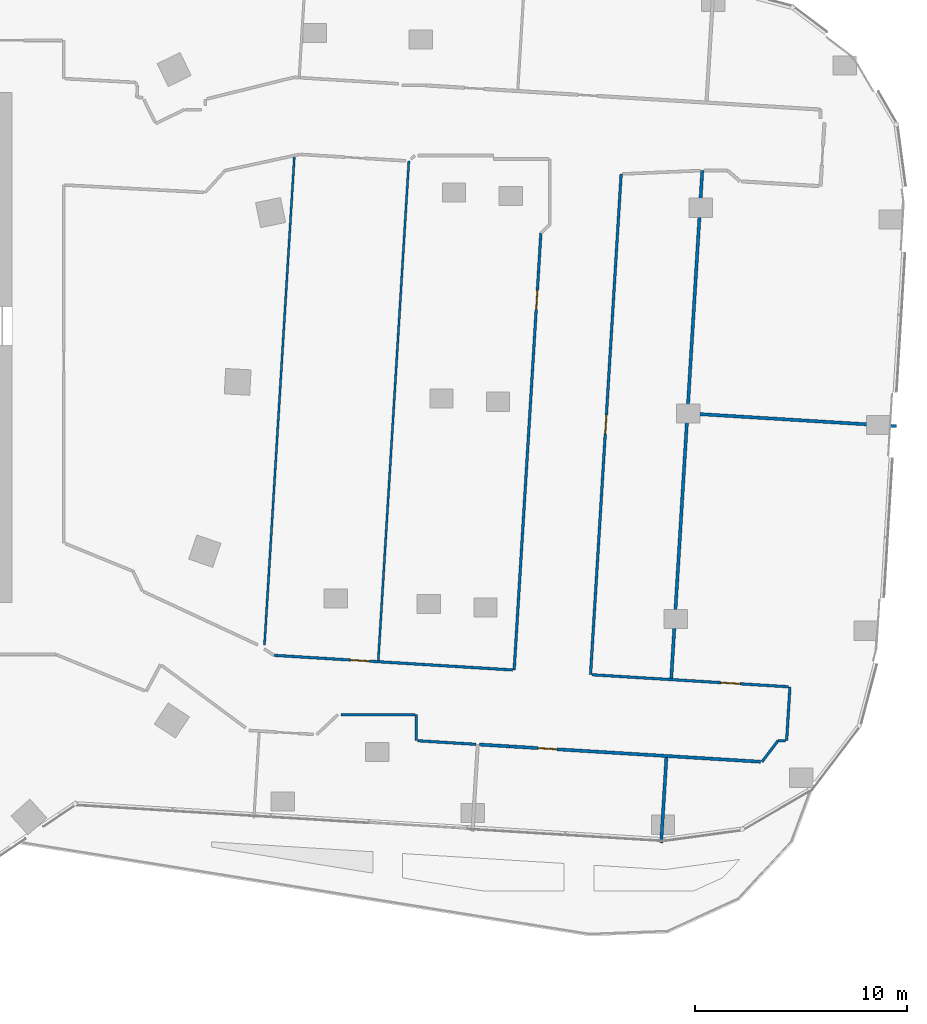
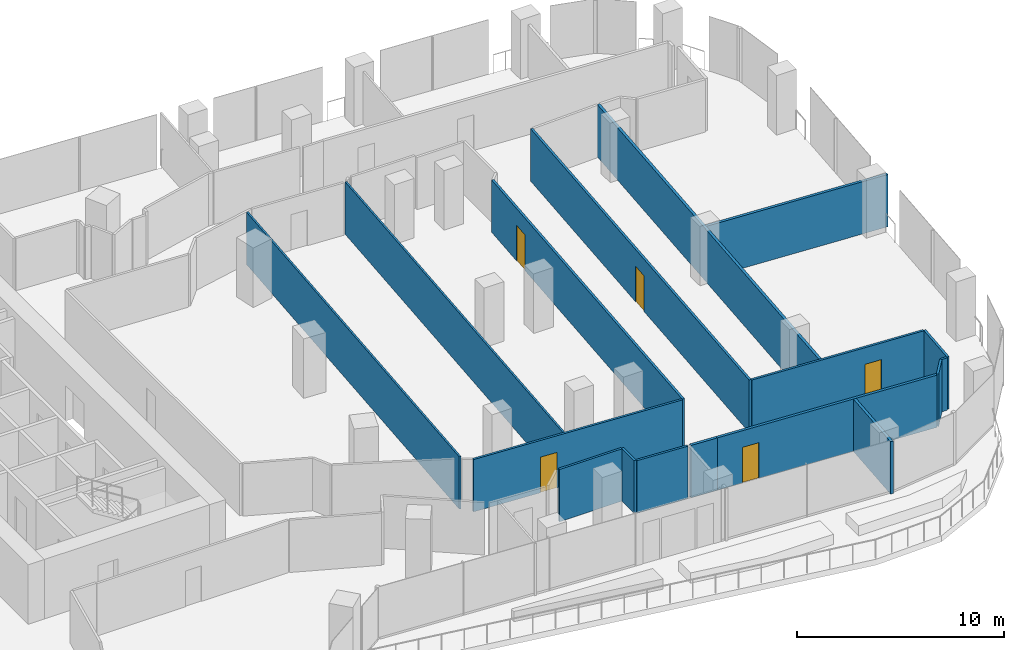
# One storey, part 25 of 34: 17 walls, 5 doors, 5 openings.
"""IFC4 building model written with IfcOpenShell, lengths in metres."""

from ifc_helpers import new_model, si_unit, direction, frame, frame_2d, origin, place, context, subcontext, project, spatial, rectangle, extrude, material, layer, layer_set, type_object, element, fill, save


model = new_model("IFC4")

# Units and contexts
model_context = context("Model", 3, precision=1e-05, world=origin(), true_north=direction((0.0, 1.0)))
body_context = subcontext(model_context, "Body", "Model", "MODEL_VIEW")
ifc_project = project(units=[si_unit("LENGTHUNIT", "METRE"), si_unit("AREAUNIT", "SQUARE_METRE"), si_unit("VOLUMEUNIT", "CUBIC_METRE"), si_unit("PLANEANGLEUNIT", "RADIAN"), si_unit("MASSUNIT", "GRAM", prefix="KILO")], contexts=[model_context])

# Site, building, storey
site_placement = place(None, origin())
site = spatial("IfcSite", under=ifc_project, at=site_placement, CompositionType="ELEMENT")
building_placement = place(site_placement, origin())
building = spatial("IfcBuilding", under=site, at=building_placement, Name="Orlundy Tower", CompositionType="ELEMENT")
storey_placement = place(building_placement, frame((0.0, 0.0, 145.60009765625)))
storey = spatial("IfcBuildingStorey", under=building, at=storey_placement, Name="L37", CompositionType="ELEMENT", Elevation=145.60009765625)

# Walls
ifc_material_1 = material(Name="Gypsum board partition")
ifc_layer_1 = layer(ifc_material_1, 0.10009765625)
ifc_layer_set_1 = layer_set([ifc_layer_1], Name="Floor partition 100")
wall_type_1 = type_object("IfcWallType", Name="Floor partition 100", PredefinedType="PARTITIONING", material=ifc_layer_set_1)
wall_1_placement = place(storey_placement, frame((36.251953125, -14.735107421875, 0.0), z_axis=(0.0, 0.0, 1.0), x_axis=(0.061102264475, 0.998131511012, 0.0)))
element("IfcWall", 1, at=wall_1_placement, inside=storey, type_object=wall_type_1, Name="wall-int-L37-122", PredefinedType="PARTITIONING", context=body_context, shape_type="SweptSolid", body=[
    extrude(rectangle(XDim=23.550048828125, YDim=0.10009765625, at=frame_2d((11.77490234375, 0.0))), origin(), (0.0, 0.0, 1.0), 3.079833984375),
])
wall_2_placement = place(storey_placement, frame((30.89501953125, -14.014892578125, 0.0), z_axis=(0.0, 0.0, 1.0), x_axis=(0.061064974054, 0.998133793108, 0.0)))
element("IfcWall", 2, at=wall_2_placement, inside=storey, type_object=wall_type_1, Name="wall-int-L37-124", PredefinedType="PARTITIONING", context=body_context, shape_type="SweptSolid", body=[
    extrude(rectangle(XDim=23.0087890625, YDim=0.10009765625, at=frame_2d((11.50439453125, 0.0))), origin(), (0.0, 0.0, 1.0), 3.079833984375),
])
ifc_material_2 = material(Name="Gypsum board partition, double layer")
ifc_layer_2 = layer(ifc_material_2, 0.125)
ifc_layer_set_2 = layer_set([ifc_layer_2], Name="Floor partition 125")
wall_type_2 = type_object("IfcWallType", Name="Floor partition 125", PredefinedType="PARTITIONING", material=ifc_layer_set_2)
wall_3_placement = place(storey_placement, frame((38.110107421875, -18.51806640625, 0.0), z_axis=(0.0, 0.0, 1.0), x_axis=(0.998139847716, -0.060965928199, 0.0)))
element("IfcWall", 3, at=wall_3_placement, inside=storey, type_object=wall_type_2, Name="wall-int-L37-035", PredefinedType="PARTITIONING", context=body_context, shape_type="SweptSolid", body=[
    extrude(rectangle(XDim=2.755126953125, YDim=0.125, at=frame_2d((1.37744140625, 0.0))), origin(), (0.0, 0.0, 1.0), 3.079833984375),
])

# Wall, opening, door
wall_4_placement = place(storey_placement, frame((31.341064453125, -14.49609375, 0.0), z_axis=(0.0, 0.0, 1.0), x_axis=(0.998121712121, -0.061262123633, 0.0)))
wall_4 = element("IfcWall", 4, at=wall_4_placement, inside=storey, type_object=wall_type_2, Name="wall-int-L37-037", PredefinedType="PARTITIONING", context=body_context, shape_type="SweptSolid", body=[
    extrude(rectangle(XDim=11.26220703125, YDim=0.125, at=frame_2d((5.631103515625, 0.0))), origin(), (0.0, 0.0, 1.0), 3.079833984375),
])
opening_1_placement = place(wall_4_placement, frame((3.60009765625, 0.0, 0.0)))
opening_1 = element("IfcOpeningElement", 5, at=opening_1_placement, cuts=wall_4, Name="Opening 28104", PredefinedType="OPENING", context=body_context, shape_type="SweptSolid", body=[
    extrude(rectangle(XDim=0.89990234375, YDim=2.10009765625, at=frame_2d((0.449951171875, 1.050048828125))), frame((0.0, 0.072509765625, 0.0), z_axis=(0.0, -1.0, 0.0), x_axis=(1.0, 0.0, 0.0)), (0.0, 0.0, 1.0), 0.14501953125),
])
ifc_material_3 = material(Name="Timber door leaf", Category="wood")
door_type_1 = type_object("IfcDoorType", Name="Floor door single 900 FD30S", OperationType="NOTDEFINED", PredefinedType="DOOR", material=ifc_material_3)
door_1_placement = place(opening_1_placement, origin())
door_1 = element("IfcDoor", 6, at=door_1_placement, inside=storey, type_object=door_type_1, Name="Door 28104", OperationType="SINGLE_SWING_LEFT", OverallHeight=2.10009765625, OverallWidth=0.89990234375, PredefinedType="DOOR", context=body_context, shape_type="SweptSolid", body=[
    extrude(rectangle(XDim=0.89990234375, YDim=2.10009765625, at=frame_2d((0.449951171875, 1.050048828125))), frame((0.0, 0.02490234375, 0.0), z_axis=(0.0, -1.0, 0.0), x_axis=(1.0, 0.0, 0.0)), (0.0, 0.0, 1.0), 0.050048828125),
])
fill(opening_1, door_1)

wall_5_placement = place(storey_placement, frame((46.304931640625, -15.410888671875, 0.0), z_axis=(0.0, 0.0, 1.0), x_axis=(0.998136924193, -0.061013773551, 0.0)))
wall_5 = element("IfcWall", 7, at=wall_5_placement, inside=storey, type_object=wall_type_2, Name="wall-int-L37-038", PredefinedType="PARTITIONING", context=body_context, shape_type="SweptSolid", body=[
    extrude(rectangle(XDim=9.279296875, YDim=0.125, at=frame_2d((4.6396484375, 0.0))), origin(), (0.0, 0.0, 1.0), 3.079833984375),
])
opening_2_placement = place(wall_5_placement, frame((6.090576171875, 0.0, 0.0)))
opening_2 = element("IfcOpeningElement", 8, at=opening_2_placement, cuts=wall_5, Name="Opening 28108", PredefinedType="OPENING", context=body_context, shape_type="SweptSolid", body=[
    extrude(rectangle(XDim=0.89990234375, YDim=2.10009765625, at=frame_2d((0.449951171875, 1.050048828125))), frame((0.0, 0.072509765625, 0.0), z_axis=(0.0, -1.0, 0.0), x_axis=(1.0, 0.0, 0.0)), (0.0, 0.0, 1.0), 0.14501953125),
])
door_2_placement = place(opening_2_placement, origin())
door_2 = element("IfcDoor", 9, at=door_2_placement, inside=storey, type_object=door_type_1, Name="Door 28108", OperationType="SINGLE_SWING_RIGHT", OverallHeight=2.10009765625, OverallWidth=0.89990234375, PredefinedType="DOOR", context=body_context, shape_type="SweptSolid", body=[
    extrude(rectangle(XDim=0.89990234375, YDim=2.10009765625, at=frame_2d((0.449951171875, 1.050048828125))), frame((0.0, 0.02490234375, 0.0), z_axis=(0.0, -1.0, 0.0), x_axis=(1.0, 0.0, 0.0)), (0.0, 0.0, 1.0), 0.050048828125),
])
fill(opening_2, door_2)

# Walls
wall_6_placement = place(storey_placement, frame((55.072998046875, -18.510009765625, 0.0), z_axis=(0.0, 0.0, 1.0), x_axis=(1.0, 0.0, 0.0)))
element("IfcWall", 10, at=wall_6_placement, inside=storey, type_object=wall_type_2, Name="wall-int-L37-060", PredefinedType="PARTITIONING", context=body_context, shape_type="SweptSolid", body=[
    extrude(rectangle(XDim=0.337890625, YDim=0.125, at=frame_2d((0.1689453125, 0.0))), origin(), (0.0, 0.0, 1.0), 3.079833984375),
])
wall_7_placement = place(storey_placement, frame((34.507080078125, -17.2890625, 0.0), z_axis=(0.0, 0.0, 1.0), x_axis=(1.0, 0.0, 0.0)))
element("IfcWall", 11, at=wall_7_placement, inside=storey, type_object=wall_type_2, Name="wall-int-L37-061", PredefinedType="PARTITIONING", context=body_context, shape_type="SweptSolid", body=[
    extrude(rectangle(XDim=3.476806640625, YDim=0.125, at=frame_2d((1.73828125, 0.0))), origin(), (0.0, 0.0, 1.0), 3.079833984375),
])
wall_8_placement = place(storey_placement, frame((55.47412109375, -18.510009765625, 0.0), z_axis=(0.0, 0.0, 1.0), x_axis=(0.061112023101, 0.998130913574, 0.0)))
element("IfcWall", 12, at=wall_8_placement, inside=storey, type_object=wall_type_2, Name="wall-int-L37-113", PredefinedType="PARTITIONING", context=body_context, shape_type="SweptSolid", body=[
    extrude(rectangle(XDim=2.53271484375, YDim=0.125, at=frame_2d((1.266357421875, 0.0))), origin(), (0.0, 0.0, 1.0), 3.079833984375),
])

# Wall, opening, door
wall_9_placement = place(storey_placement, frame((47.68408203125, 8.159912109375, 0.0), z_axis=(0.0, 0.0, 1.0), x_axis=(-0.061037952317, -0.998135445907, 0.0)))
wall_9 = element("IfcWall", 13, at=wall_9_placement, inside=storey, type_object=wall_type_2, Name="wall-int-L37-118", PredefinedType="PARTITIONING", context=body_context, shape_type="SweptSolid", body=[
    extrude(rectangle(XDim=23.61083984375, YDim=0.125, at=frame_2d((11.805419921875, 0.0))), origin(), (0.0, 0.0, 1.0), 3.079833984375),
])
opening_3_placement = place(wall_9_placement, frame((11.35009765625, 0.0, 0.0)))
opening_3 = element("IfcOpeningElement", 14, at=opening_3_placement, cuts=wall_9, Name="Opening 28106", PredefinedType="OPENING", context=body_context, shape_type="SweptSolid", body=[
    extrude(rectangle(XDim=0.89990234375, YDim=2.10009765625, at=frame_2d((0.449951171875, 1.050048828125))), frame((0.0, 0.072509765625, 0.0), z_axis=(0.0, -1.0, 0.0), x_axis=(1.0, 0.0, 0.0)), (0.0, 0.0, 1.0), 0.14501953125),
])
door_3_placement = place(opening_3_placement, origin())
door_3 = element("IfcDoor", 15, at=door_3_placement, inside=storey, type_object=door_type_1, Name="Door 28106", OperationType="SINGLE_SWING_LEFT", OverallHeight=2.10009765625, OverallWidth=0.89990234375, PredefinedType="DOOR", context=body_context, shape_type="SweptSolid", body=[
    extrude(rectangle(XDim=0.89990234375, YDim=2.10009765625, at=frame_2d((0.449951171875, 1.050048828125))), frame((0.0, 0.02490234375, 0.0), z_axis=(0.0, -1.0, 0.0), x_axis=(1.0, 0.0, 0.0)), (0.0, 0.0, 1.0), 0.050048828125),
])
fill(opening_3, door_3)

wall_10_placement = place(storey_placement, frame((42.64794921875, -15.18798828125, 0.0), z_axis=(0.0, 0.0, 1.0), x_axis=(0.061030776278, 0.998135884711, 0.0)))
wall_10 = element("IfcWall", 16, at=wall_10_placement, inside=storey, type_object=wall_type_2, Name="wall-int-L37-119", PredefinedType="PARTITIONING", context=body_context, shape_type="SweptSolid", body=[
    extrude(rectangle(XDim=20.597412109375, YDim=0.125, at=frame_2d((10.298828125, 0.0))), origin(), (0.0, 0.0, 1.0), 3.079833984375),
])
opening_4_placement = place(wall_10_placement, frame((17.00390625, 0.0, 0.0)))
opening_4 = element("IfcOpeningElement", 17, at=opening_4_placement, cuts=wall_10, Name="Opening 28105", PredefinedType="OPENING", context=body_context, shape_type="SweptSolid", body=[
    extrude(rectangle(XDim=0.89990234375, YDim=2.10009765625, at=frame_2d((0.449951171875, 1.050048828125))), frame((0.0, 0.072509765625, 0.0), z_axis=(0.0, -1.0, 0.0), x_axis=(1.0, 0.0, 0.0)), (0.0, 0.0, 1.0), 0.14501953125),
])
door_4_placement = place(opening_4_placement, origin())
door_4 = element("IfcDoor", 18, at=door_4_placement, inside=storey, type_object=door_type_1, Name="Door 28105", OperationType="SINGLE_SWING_RIGHT", OverallHeight=2.10009765625, OverallWidth=0.89990234375, PredefinedType="DOOR", context=body_context, shape_type="SweptSolid", body=[
    extrude(rectangle(XDim=0.89990234375, YDim=2.10009765625, at=frame_2d((0.449951171875, 1.050048828125))), frame((0.0, 0.02490234375, 0.0), z_axis=(0.0, -1.0, 0.0), x_axis=(1.0, 0.0, 0.0)), (0.0, 0.0, 1.0), 0.050048828125),
])
fill(opening_4, door_4)

# Walls
wall_11_placement = place(storey_placement, frame((54.31201171875, -19.508056640625, 0.0), z_axis=(0.0, 0.0, 1.0), x_axis=(0.60633035637, 0.79521286392, 0.0)))
element("IfcWall", 19, at=wall_11_placement, inside=storey, type_object=wall_type_2, Name="wall-int-L37-128", PredefinedType="PARTITIONING", context=body_context, shape_type="SweptSolid", body=[
    extrude(rectangle(XDim=1.255126953125, YDim=0.125, at=frame_2d((0.62744140625, 0.0))), origin(), (0.0, 0.0, 1.0), 3.079833984375),
])
wall_12_placement = place(storey_placement, frame((38.047119140625, -18.512939453125, 0.0), z_axis=(0.0, 0.0, 1.0), x_axis=(0.0, 1.0, 0.0)))
element("IfcWall", 20, at=wall_12_placement, inside=storey, type_object=wall_type_2, Name="wall-int-L37-131", PredefinedType="PARTITIONING", context=body_context, shape_type="SweptSolid", body=[
    extrude(rectangle(XDim=1.223876953125, YDim=0.125, at=frame_2d((0.61181640625, 0.0))), origin(), (0.0, 0.0, 1.0), 3.079833984375),
])
ifc_material_4 = material(Name="Blockwork shaft wall", Category="masonry")
ifc_layer_3 = layer(ifc_material_4, 0.14990234375)
ifc_layer_set_3 = layer_set([ifc_layer_3], Name="Floor shaft wall 150")
wall_type_3 = type_object("IfcWallType", Name="Floor shaft wall 150", PredefinedType="PARTITIONING", material=ifc_layer_set_3)
wall_13_placement = place(storey_placement, frame((41.010009765625, -18.696044921875, 0.0), z_axis=(0.0, 0.0, 1.0), x_axis=(0.99817100985, -0.060453578023, 0.0)))
element("IfcWall", 21, at=wall_13_placement, inside=storey, type_object=wall_type_3, Name="wall-int-L37-033", PredefinedType="PARTITIONING", context=body_context, shape_type="SweptSolid", body=[
    extrude(rectangle(XDim=1.421630859375, YDim=0.14990234375, at=frame_2d((0.7109375, 0.0))), origin(), (0.0, 0.0, 1.0), 3.079833984375),
])

# Wall, opening, door
wall_14_placement = place(storey_placement, frame((54.248046875, -19.506103515625, 0.0), z_axis=(0.0, 0.0, 1.0), x_axis=(-0.99812844047, 0.061152402438, 0.0)))
wall_14 = element("IfcWall", 22, at=wall_14_placement, inside=storey, type_object=wall_type_3, Name="wall-int-L37-036", PredefinedType="PARTITIONING", context=body_context, shape_type="SweptSolid", body=[
    extrude(rectangle(XDim=11.84130859375, YDim=0.14990234375, at=frame_2d((5.920654296875, 0.0))), origin(), (0.0, 0.0, 1.0), 3.079833984375),
])
opening_5_placement = place(wall_14_placement, frame((9.591796875, 0.0, 0.0)))
opening_5 = element("IfcOpeningElement", 23, at=opening_5_placement, cuts=wall_14, Name="Opening 28100", PredefinedType="OPENING", context=body_context, shape_type="SweptSolid", body=[
    extrude(rectangle(XDim=0.89990234375, YDim=2.10009765625, at=frame_2d((0.449951171875, 1.050048828125))), frame((0.0, 0.0849609375, 0.0), z_axis=(0.0, -1.0, 0.0), x_axis=(1.0, 0.0, 0.0)), (0.0, 0.0, 1.0), 0.169921875),
])
ifc_material_5 = material(Name="Timber door leaf", Category="wood")
door_type_2 = type_object("IfcDoorType", Name="Floor door single 900 FD60", OperationType="NOTDEFINED", PredefinedType="DOOR", material=ifc_material_5)
door_5_placement = place(opening_5_placement, origin())
door_5 = element("IfcDoor", 24, at=door_5_placement, inside=storey, type_object=door_type_2, Name="Door 28100", OperationType="SINGLE_SWING_RIGHT", OverallHeight=2.10009765625, OverallWidth=0.89990234375, PredefinedType="DOOR", context=body_context, shape_type="SweptSolid", body=[
    extrude(rectangle(XDim=0.89990234375, YDim=2.10009765625, at=frame_2d((0.449951171875, 1.050048828125))), frame((0.0, 0.02490234375, 0.0), z_axis=(0.0, -1.0, 0.0), x_axis=(1.0, 0.0, 0.0)), (0.0, 0.0, 1.0), 0.050048828125),
])
fill(opening_5, door_5)

# Walls
wall_15_placement = place(storey_placement, frame((50.8798828125, -3.112060546875, 0.0), z_axis=(0.0, 0.0, 1.0), x_axis=(0.998139914639, -0.060964832519, 0.0)))
element("IfcWall", 25, at=wall_15_placement, inside=storey, type_object=wall_type_3, Name="wall-int-L37-039", PredefinedType="PARTITIONING", context=body_context, shape_type="SweptSolid", body=[
    extrude(rectangle(XDim=9.775146484375, YDim=0.14990234375, at=frame_2d((4.8876953125, 0.0))), origin(), (0.0, 0.0, 1.0), 3.079833984375),
])
wall_16_placement = place(storey_placement, frame((49.569091796875, -23.319091796875, 0.0), z_axis=(0.0, 0.0, 1.0), x_axis=(0.060951910255, 0.998140703827, 0.0)))
element("IfcWall", 26, at=wall_16_placement, inside=storey, type_object=wall_type_3, Name="wall-int-L37-115", PredefinedType="PARTITIONING", context=body_context, shape_type="SweptSolid", body=[
    extrude(rectangle(XDim=4.017578125, YDim=0.14990234375, at=frame_2d((2.0087890625, 0.0))), origin(), (0.0, 0.0, 1.0), 3.079833984375),
])
wall_17_placement = place(storey_placement, frame((50.04296875, -15.576904296875, 0.0), z_axis=(0.0, 0.0, 1.0), x_axis=(0.061013458126, 0.998136943474, 0.0)))
element("IfcWall", 27, at=wall_17_placement, inside=storey, type_object=wall_type_3, Name="wall-int-L37-116", PredefinedType="PARTITIONING", context=body_context, shape_type="SweptSolid", body=[
    extrude(rectangle(XDim=23.944580078125, YDim=0.14990234375, at=frame_2d((11.97216796875, 0.0))), origin(), (0.0, 0.0, 1.0), 3.079833984375),
])

save(model, "model.ifc")
